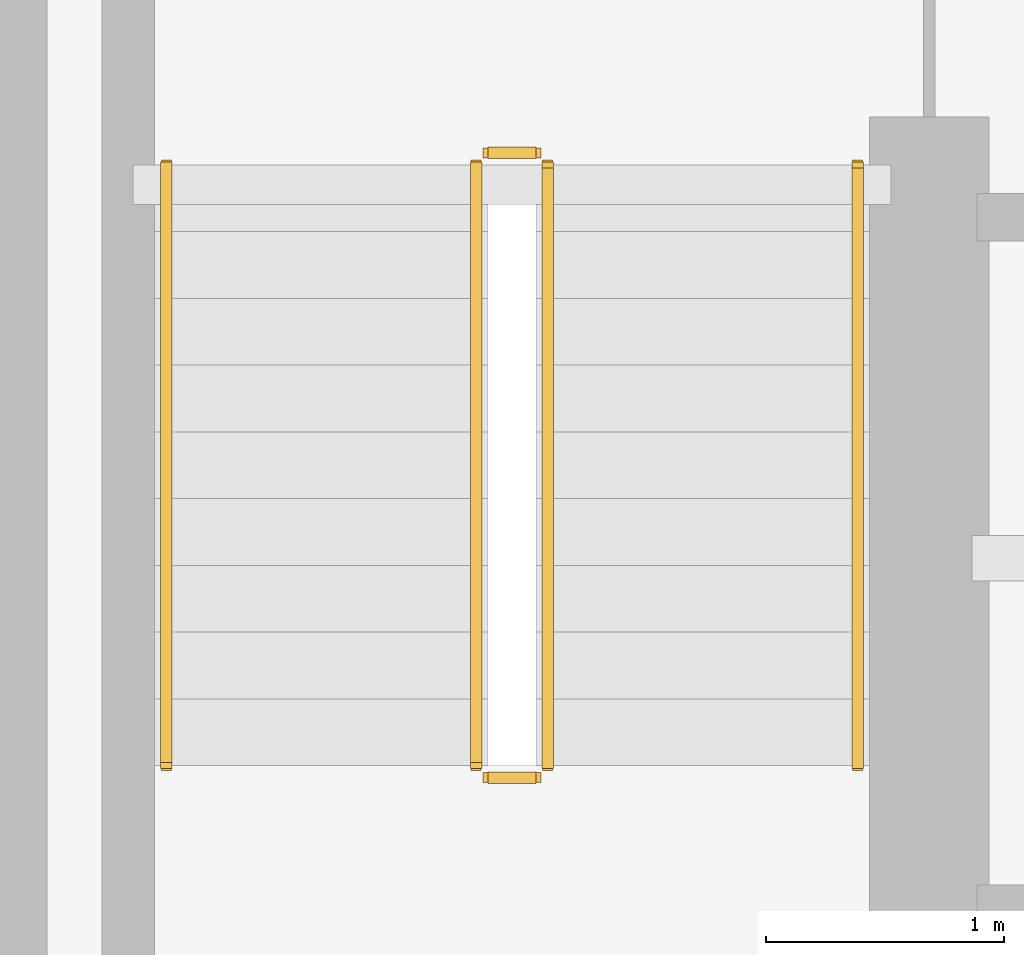
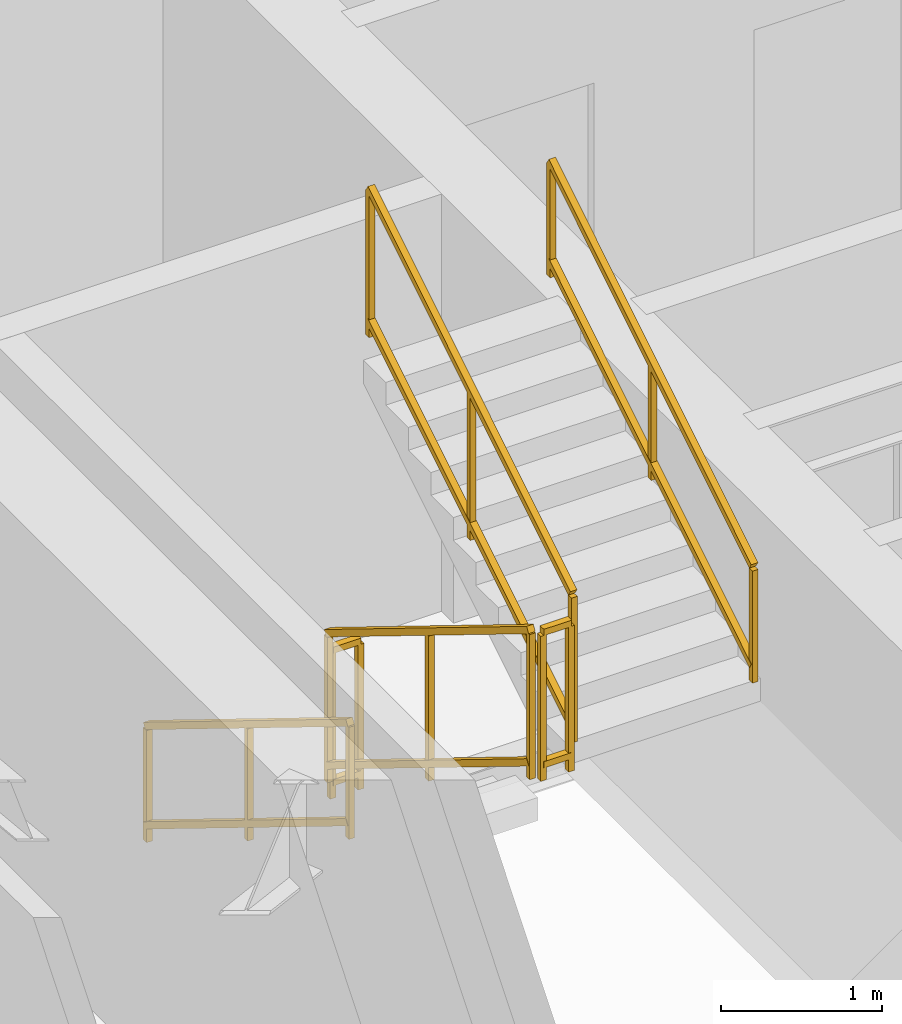
# One storey, part 28 of 30: 6 railings.
"""IFC4 building model written with IfcOpenShell, lengths in metres."""

from ifc_helpers import new_model, si_unit, direction, frame, origin, origin_2d, place, context, subcontext, project, spatial, rectangle, extrude, material, type_object, element, save


model = new_model("IFC4")

# Units and contexts
model_context = context("Model", 3, precision=1e-05, world=origin(), true_north=direction((0.0, 1.0)))
body_context = subcontext(model_context, "Body", "Model", "MODEL_VIEW")
ifc_project = project(units=[si_unit("LENGTHUNIT", "METRE"), si_unit("AREAUNIT", "SQUARE_METRE"), si_unit("VOLUMEUNIT", "CUBIC_METRE"), si_unit("PLANEANGLEUNIT", "RADIAN"), si_unit("MASSUNIT", "GRAM", prefix="KILO")], contexts=[model_context])

# Site, building, storey
site_placement = place(None, origin())
site = spatial("IfcSite", under=ifc_project, at=site_placement, CompositionType="ELEMENT")
building_placement = place(site_placement, origin())
building = spatial("IfcBuilding", under=site, at=building_placement, Name="Qarnah Convention Tower", CompositionType="ELEMENT")
storey_placement = place(building_placement, frame((0.0, 0.0, 83.25)))
storey = spatial("IfcBuildingStorey", under=building, at=storey_placement, Name="L21", CompositionType="ELEMENT", Elevation=83.25)

# Railings
ifc_material = material(Name="Structural steel S355JR", Category="steel")
railing_type_1 = type_object("IfcRailingType", Name="RL-STAIR-GUARD-1150", PredefinedType="GUARDRAIL", material=ifc_material)
railing_1_placement = place(storey_placement, frame((28.89990234375, 25.300048828125, 0.172607421875)))
element("IfcRailing", 1, at=railing_1_placement, inside=storey, type_object=railing_type_1, Name="L21 ST-1 stair guard 1", PredefinedType="GUARDRAIL", context=body_context, shape_type="SweptSolid", body=[
    extrude(rectangle(XDim=0.048095703125, YDim=0.048095703125, at=origin_2d()), frame((0.0, 0.0, 1.1259765625), z_axis=(0.0, -0.851400495292, 0.524516154772), x_axis=(1.0, 0.0, 0.0)), (0.0, 0.0, 1.0), 2.9599609375),
    extrude(rectangle(XDim=0.048095703125, YDim=0.048095703125, at=origin_2d()), frame((0.0, 0.0, 0.1201171875), z_axis=(0.0, -0.851400495292, 0.524516154772), x_axis=(1.0, 0.0, 0.0)), (0.0, 0.0, 1.0), 2.9599609375),
    extrude(rectangle(XDim=0.0419921875, YDim=0.0419921875, at=origin_2d()), origin(), (0.0, 0.0, 1.0), 1.101806640625),
    extrude(rectangle(XDim=0.0419921875, YDim=0.0419921875, at=origin_2d()), frame((0.0, -1.260009765625, 0.7763671875)), (0.0, 0.0, 1.0), 1.101806640625),
    extrude(rectangle(XDim=0.0419921875, YDim=0.0419921875, at=origin_2d()), frame((0.0, -2.52001953125, 1.552490234375)), (0.0, 0.0, 1.0), 1.101806640625),
])
railing_2_placement = place(storey_placement, frame((28.949951171875, 22.72998046875, 1.72509765625)))
element("IfcRailing", 2, at=railing_2_placement, inside=storey, type_object=railing_type_1, Name="L21 ST-1 stair guard 2", PredefinedType="GUARDRAIL", context=body_context, shape_type="SweptSolid", body=[
    extrude(rectangle(XDim=0.048095703125, YDim=0.048095703125, at=origin_2d()), frame((0.0, 0.0, 1.1259765625), z_axis=(1.0, 0.0, 0.0), x_axis=(0.0, 1.0, 0.0)), (0.0, 0.0, 1.0), 0.199951171875),
    extrude(rectangle(XDim=0.048095703125, YDim=0.048095703125, at=origin_2d()), frame((0.0, 0.0, 0.1201171875), z_axis=(1.0, 0.0, 0.0), x_axis=(0.0, 1.0, 0.0)), (0.0, 0.0, 1.0), 0.199951171875),
    extrude(rectangle(XDim=0.0419921875, YDim=0.0419921875, at=origin_2d()), origin(), (0.0, 0.0, 1.0), 1.101806640625),
    extrude(rectangle(XDim=0.0419921875, YDim=0.0419921875, at=origin_2d()), frame((0.199951171875, 0.0, 0.0)), (0.0, 0.0, 1.0), 1.101806640625),
])
railing_3_placement = place(storey_placement, frame((29.199951171875, 22.780029296875, 1.8974609375)))
element("IfcRailing", 3, at=railing_3_placement, inside=storey, type_object=railing_type_1, Name="L21 ST-1 stair guard 3", PredefinedType="GUARDRAIL", context=body_context, shape_type="SweptSolid", body=[
    extrude(rectangle(XDim=0.048095703125, YDim=0.048095703125, at=origin_2d()), frame((0.0, 0.0, 1.1259765625), z_axis=(0.0, 0.851400495292, 0.524516154772), x_axis=(-1.0, 0.0, 0.0)), (0.0, 0.0, 1.0), 2.9599609375),
    extrude(rectangle(XDim=0.048095703125, YDim=0.048095703125, at=origin_2d()), frame((0.0, 0.0, 0.1201171875), z_axis=(0.0, 0.851400495292, 0.524516154772), x_axis=(-1.0, 0.0, 0.0)), (0.0, 0.0, 1.0), 2.9599609375),
    extrude(rectangle(XDim=0.0419921875, YDim=0.0419921875, at=origin_2d()), origin(), (0.0, 0.0, 1.0), 1.101806640625),
    extrude(rectangle(XDim=0.0419921875, YDim=0.0419921875, at=origin_2d()), frame((0.0, 1.260009765625, 0.7763671875)), (0.0, 0.0, 1.0), 1.101806640625),
    extrude(rectangle(XDim=0.0419921875, YDim=0.0419921875, at=origin_2d()), frame((0.0, 2.52001953125, 1.552490234375)), (0.0, 0.0, 1.0), 1.101806640625),
])
railing_4_placement = place(storey_placement, frame((28.949951171875, 25.35009765625, 0.0)))
element("IfcRailing", 4, at=railing_4_placement, inside=storey, type_object=railing_type_1, Name="L21 ST-1 stair guard 4", PredefinedType="GUARDRAIL", context=body_context, shape_type="SweptSolid", body=[
    extrude(rectangle(XDim=0.048095703125, YDim=0.048095703125, at=origin_2d()), frame((0.0, 0.0, 1.1259765625), z_axis=(1.0, 0.0, 0.0), x_axis=(0.0, 1.0, 0.0)), (0.0, 0.0, 1.0), 0.199951171875),
    extrude(rectangle(XDim=0.048095703125, YDim=0.048095703125, at=origin_2d()), frame((0.0, 0.0, 0.1201171875), z_axis=(1.0, 0.0, 0.0), x_axis=(0.0, 1.0, 0.0)), (0.0, 0.0, 1.0), 0.199951171875),
    extrude(rectangle(XDim=0.0419921875, YDim=0.0419921875, at=origin_2d()), origin(), (0.0, 0.0, 1.0), 1.101806640625),
    extrude(rectangle(XDim=0.0419921875, YDim=0.0419921875, at=origin_2d()), frame((0.199951171875, 0.0, 0.0)), (0.0, 0.0, 1.0), 1.101806640625),
])
railing_type_2 = type_object("IfcRailingType", Name="RL-STAIR-HAND-900", PredefinedType="HANDRAIL", material=ifc_material)
railing_5_placement = place(storey_placement, frame((27.60009765625, 25.300048828125, 0.172607421875)))
element("IfcRailing", 5, at=railing_5_placement, inside=storey, type_object=railing_type_2, Name="L21 ST-1 stair handrail 1", PredefinedType="HANDRAIL", context=body_context, shape_type="SweptSolid", body=[
    extrude(rectangle(XDim=0.048095703125, YDim=0.048095703125, at=origin_2d()), frame((0.0, 0.0, 0.8759765625), z_axis=(0.0, -0.851400495292, 0.524516154772), x_axis=(1.0, 0.0, 0.0)), (0.0, 0.0, 1.0), 2.9599609375),
    extrude(rectangle(XDim=0.048095703125, YDim=0.048095703125, at=origin_2d()), frame((0.0, 0.0, 0.1201171875), z_axis=(0.0, -0.851400495292, 0.524516154772), x_axis=(1.0, 0.0, 0.0)), (0.0, 0.0, 1.0), 2.9599609375),
    extrude(rectangle(XDim=0.0419921875, YDim=0.0419921875, at=origin_2d()), origin(), (0.0, 0.0, 1.0), 0.851806640625),
    extrude(rectangle(XDim=0.0419921875, YDim=0.0419921875, at=origin_2d()), frame((0.0, -1.260009765625, 0.7763671875)), (0.0, 0.0, 1.0), 0.851806640625),
    extrude(rectangle(XDim=0.0419921875, YDim=0.0419921875, at=origin_2d()), frame((0.0, -2.52001953125, 1.552490234375)), (0.0, 0.0, 1.0), 0.851806640625),
])
railing_6_placement = place(storey_placement, frame((30.5, 22.780029296875, 1.8974609375)))
element("IfcRailing", 6, at=railing_6_placement, inside=storey, type_object=railing_type_2, Name="L21 ST-1 stair handrail 2", PredefinedType="HANDRAIL", context=body_context, shape_type="SweptSolid", body=[
    extrude(rectangle(XDim=0.048095703125, YDim=0.048095703125, at=origin_2d()), frame((0.0, 0.0, 0.8759765625), z_axis=(0.0, 0.851400495292, 0.524516154772), x_axis=(-1.0, 0.0, 0.0)), (0.0, 0.0, 1.0), 2.9599609375),
    extrude(rectangle(XDim=0.048095703125, YDim=0.048095703125, at=origin_2d()), frame((0.0, 0.0, 0.1201171875), z_axis=(0.0, 0.851400495292, 0.524516154772), x_axis=(-1.0, 0.0, 0.0)), (0.0, 0.0, 1.0), 2.9599609375),
    extrude(rectangle(XDim=0.0419921875, YDim=0.0419921875, at=origin_2d()), origin(), (0.0, 0.0, 1.0), 0.851806640625),
    extrude(rectangle(XDim=0.0419921875, YDim=0.0419921875, at=origin_2d()), frame((0.0, 1.260009765625, 0.7763671875)), (0.0, 0.0, 1.0), 0.851806640625),
    extrude(rectangle(XDim=0.0419921875, YDim=0.0419921875, at=origin_2d()), frame((0.0, 2.52001953125, 1.552490234375)), (0.0, 0.0, 1.0), 0.851806640625),
])

save(model, "model.ifc")
